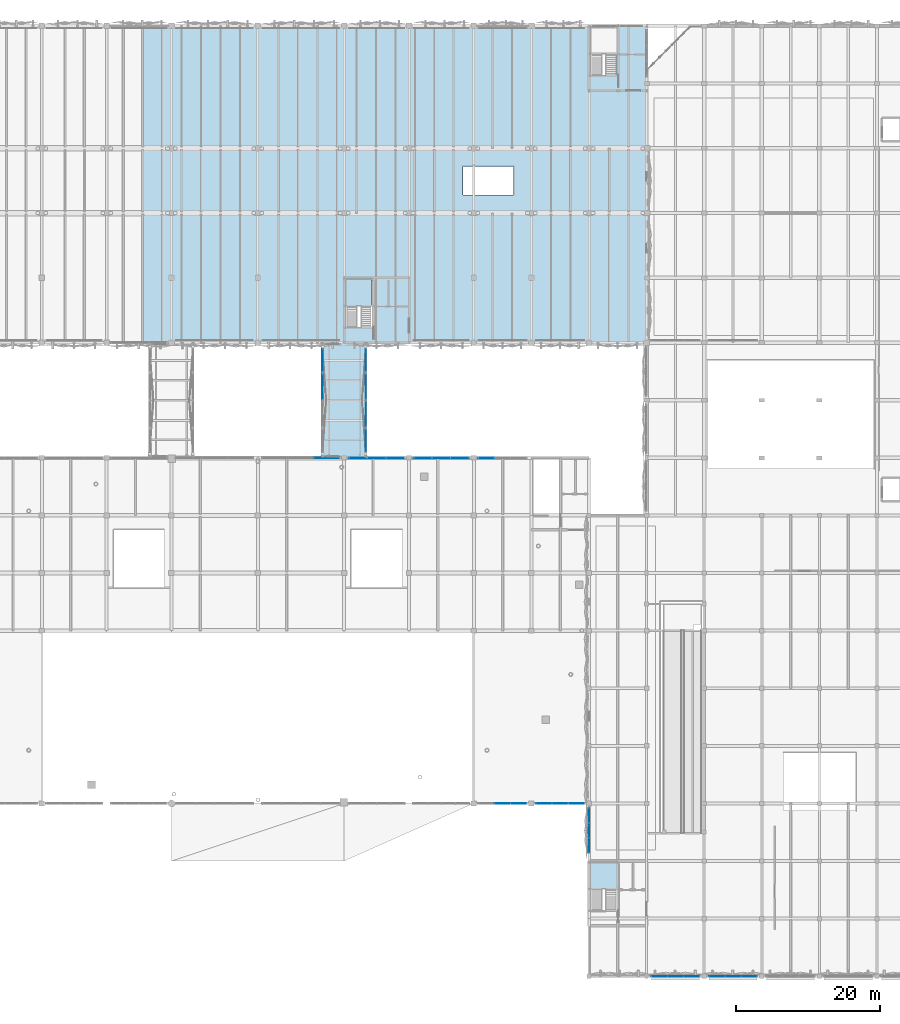
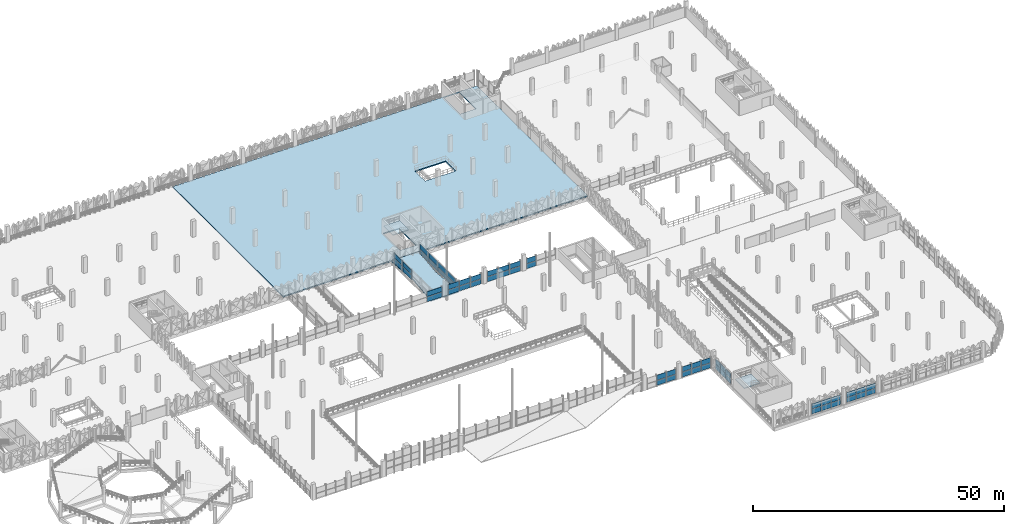
# One storey, part 63 of 123: 56 plates, 4 slabs, 13 elements without a shape of their own.
"""IFC4 building model written with IfcOpenShell, lengths in metres."""

import ifcopenshell
import ifcopenshell.guid

model = None  # the IFC model being written
_history = None  # IfcOwnerHistory: only IFC2X3 demands one
_inside = {}  # id of a spatial element -> (the spatial element, [elements in it])
_under = {}  # id of a project, library or spatial element -> (it, [spatial elements below it])
_declared = {}  # id of a project -> (the project, [libraries it declares])
_typed = {}  # id of a type object -> (the type object, [elements of that type])
_made_of = {}  # id of a material, layer set ... -> (it, [elements and type objects made of it])


def new_model(schema):
    """Start an empty IFC model of exactly this schema.

    Asked for "IFC4X3", IfcOpenShell would pick the latest addendum, in which some entities
    have other attributes; the version numbers below select the first issue.
    IFC2X3 requires an IfcOwnerHistory on every rooted entity: one is made here for all.
    """
    global model, _history
    if schema == "IFC4X3":
        model = ifcopenshell.file(schema_version=(4, 3, 0, 0))
    else:
        model = ifcopenshell.file(schema=schema)
    _inside.clear()
    _under.clear()
    _declared.clear()
    _typed.clear()
    _made_of.clear()
    _history = None
    if model.schema == "IFC2X3":
        org = make("IfcOrganization", Name="unknown")
        user = make(
            "IfcPersonAndOrganization",
            ThePerson=make("IfcPerson", FamilyName="unknown"),
            TheOrganization=org,
        )
        app = make(
            "IfcApplication",
            ApplicationDeveloper=org,
            Version="unknown",
            ApplicationFullName="unknown",
            ApplicationIdentifier="unknown",
        )
        _history = make(
            "IfcOwnerHistory",
            OwningUser=user,
            OwningApplication=app,
            ChangeAction="ADDED",
            CreationDate=0,
        )
    return model


def make(cls, **values):
    """One entity of the class cls with the attributes given. An attribute that is None is left unset."""
    return model.create_entity(
        cls, **{name: value for name, value in values.items() if value is not None}
    )


def rooted(cls, **values):
    """An entity with a GlobalId (a new one), such as an element, a storey or a relation."""
    return make(cls, GlobalId=ifcopenshell.guid.new(), OwnerHistory=_history, **values)


def si_unit(unit_type, name, prefix=None):
    """IfcSIUnit, for example si_unit("LENGTHUNIT", "METRE", prefix="MILLI")."""
    return make("IfcSIUnit", UnitType=unit_type, Prefix=prefix, Name=name)


def derived_unit(unit_type, elements):
    """IfcDerivedUnit: a product of units, each with its exponent."""
    return make(
        "IfcDerivedUnit",
        Elements=[
            make("IfcDerivedUnitElement", Unit=unit, Exponent=power)
            for unit, power in elements
        ],
        UnitType=unit_type,
    )


def assignment(units):
    """IfcUnitAssignment: the units of a project."""
    return None if units is None else make("IfcUnitAssignment", Units=units)


def point(xyz):
    """IfcCartesianPoint."""
    return None if xyz is None else make("IfcCartesianPoint", Coordinates=xyz)


def direction(xyz):
    """IfcDirection."""
    return None if xyz is None else make("IfcDirection", DirectionRatios=xyz)


def frame(location, z_axis=None, x_axis=None):
    """IfcAxis2Placement3D, a coordinate frame: its origin and axes. An axis left out is left unset."""
    return make(
        "IfcAxis2Placement3D",
        Location=point(location),
        Axis=direction(z_axis),
        RefDirection=direction(x_axis),
    )


def frame_2d(location, x_axis=None):
    """IfcAxis2Placement2D, a coordinate frame in the plane: its origin and x axis."""
    return make(
        "IfcAxis2Placement2D", Location=point(location), RefDirection=direction(x_axis)
    )


def origin():
    """The frame at (0, 0, 0) with its axes left unset."""
    return frame((0.0, 0.0, 0.0))


def origin_2d():
    """The frame at (0, 0) in the plane with its x axis left unset."""
    return frame_2d((0.0, 0.0))


def place(relative_to, where):
    """IfcLocalPlacement: puts the frame where relative to a parent placement (None: the world)."""
    return make(
        "IfcLocalPlacement", PlacementRelTo=relative_to, RelativePlacement=where
    )


def context(
    kind, dimensions, precision=None, world=None, true_north=None, identifier=None
):
    """IfcGeometricRepresentationContext, for example the 3D "Model" context."""
    return make(
        "IfcGeometricRepresentationContext",
        ContextIdentifier=identifier,
        ContextType=kind,
        CoordinateSpaceDimension=dimensions,
        Precision=precision,
        WorldCoordinateSystem=world,
        TrueNorth=true_north,
    )


def subcontext(parent, identifier, kind, view, scale=None):
    """IfcGeometricRepresentationSubContext, for example "Body" below "Model"."""
    return make(
        "IfcGeometricRepresentationSubContext",
        ContextIdentifier=identifier,
        ContextType=kind,
        ParentContext=parent,
        TargetScale=scale,
        TargetView=view,
    )


def project(units=None, contexts=None):
    """IfcProject with its units and contexts."""
    return rooted(
        "IfcProject",
        Name="project",
        RepresentationContexts=contexts,
        UnitsInContext=assignment(units),
    )


def spatial(cls, under=None, at=None, **own):
    """A site, building, storey or space (cls), placed at a placement, below another one or the project."""
    s = rooted(cls, ObjectPlacement=at, **own)
    if under is not None:
        _under.setdefault(under.id(), (under, []))[1].append(s)
    return s


def polyline(points):
    """IfcPolyline through the points."""
    return make("IfcPolyline", Points=[point(p) for p in points])


def profile(cls, at=None, kind="AREA", **sizes):
    """A parametric profile (cls). Its sizes go by their IFC names, for example OverallWidth=200.0."""
    return make(cls, ProfileType=kind, Position=at, **sizes)


def rectangle(**sizes):
    """IfcRectangleProfileDef."""
    return profile("IfcRectangleProfileDef", **sizes)


def outline(outer, holes=None, kind="AREA"):
    """IfcArbitraryClosedProfileDef: a profile drawn as a closed curve; with holes, ...WithVoids."""
    if holes is None:
        return make("IfcArbitraryClosedProfileDef", ProfileType=kind, OuterCurve=outer)
    return make(
        "IfcArbitraryProfileDefWithVoids",
        ProfileType=kind,
        OuterCurve=outer,
        InnerCurves=holes,
    )


def extrude(swept, where, along, depth):
    """IfcExtrudedAreaSolid: the profile swept, set in the frame where, extruded along a direction by depth."""
    return make(
        "IfcExtrudedAreaSolid",
        SweptArea=swept,
        Position=where,
        ExtrudedDirection=direction(along),
        Depth=depth,
    )


def shape(context_of_items, identifier, shape_type, items):
    """IfcShapeRepresentation: the items that make up one representation, for example the "Body"."""
    return make(
        "IfcShapeRepresentation",
        ContextOfItems=context_of_items,
        RepresentationIdentifier=identifier,
        RepresentationType=shape_type,
        Items=items,
    )


def material(Name=None, Category=None):
    """IfcMaterial."""
    return make("IfcMaterial", Name=Name, Category=Category)


def layer(
    of_material, thickness, ventilated=None, Name=None, Category=None, Priority=None
):
    """IfcMaterialLayer: one layer of a wall or slab, of a material (None: an air gap)."""
    return make(
        "IfcMaterialLayer",
        Material=of_material,
        LayerThickness=thickness,
        IsVentilated=ventilated,
        Name=Name,
        Category=Category,
        Priority=Priority,
    )


def layer_set(layers, Name=None):
    """IfcMaterialLayerSet."""
    return make("IfcMaterialLayerSet", MaterialLayers=layers, LayerSetName=Name)


def made_of(thing, what):
    """Note that an element or type object is made of a material, layer set ...; save() writes the relation."""
    if what is not None:
        _made_of.setdefault(what.id(), (what, []))[1].append(thing)
    return thing


def type_object(cls, material=None, **own):
    """A type object (cls), such as IfcWallType, which elements share."""
    return made_of(rooted(cls, **own), material)


def element(
    cls,
    number,
    at=None,
    inside=None,
    cuts=None,
    type_object=None,
    material=None,
    context=None,
    identifier="Body",
    shape_type=None,
    held_by="IfcProductDefinitionShape",
    body=None,
    shapes=None,
    **own,
):
    """One element of the class cls, such as IfcWall. Its Tag is "e" and its number.

    at: its placement. inside: the storey or other place that contains it. cuts: it is an
    opening in that element (IfcRelVoidsElement). A single representation is given by context,
    identifier, shape_type and body (its items); several are given by shapes. held_by: the class
    of the entity that holds the representations. save() writes the other relations.
    """
    e = rooted(cls, Tag="e%d" % number, ObjectPlacement=at, **own)
    if body is not None:
        shapes = [shape(context, identifier, shape_type, body)]
    if shapes is not None:
        e.Representation = make(held_by, Representations=shapes)
    if inside is not None:
        _inside.setdefault(inside.id(), (inside, []))[1].append(e)
    if cuts is not None:
        rooted(
            "IfcRelVoidsElement", RelatingBuildingElement=cuts, RelatedOpeningElement=e
        )
    if type_object is not None:
        _typed.setdefault(type_object.id(), (type_object, []))[1].append(e)
    return made_of(e, material)


def aggregate(whole, parts):
    """IfcRelAggregates: a whole, such as a stair, and the parts it consists of."""
    return rooted("IfcRelAggregates", RelatingObject=whole, RelatedObjects=parts)


def save(model, path):
    """Write the relations noted so far, then the file.

    IfcRelAggregates (storeys below a building ...), IfcRelContainedInSpatialStructure (elements
    in a storey), IfcRelDefinesByType, IfcRelAssociatesMaterial and IfcRelDeclares: one each for
    every whole, place, type object, material and project.
    """
    for whole, parts in _under.values():
        aggregate(whole, parts)
    for where, things in _inside.values():
        rooted(
            "IfcRelContainedInSpatialStructure",
            RelatedElements=things,
            RelatingStructure=where,
        )
    for kind, things in _typed.values():
        rooted("IfcRelDefinesByType", RelatedObjects=things, RelatingType=kind)
    for what, things in _made_of.values():
        rooted("IfcRelAssociatesMaterial", RelatedObjects=things, RelatingMaterial=what)
    for by, libraries in _declared.values():
        rooted("IfcRelDeclares", RelatingContext=by, RelatedDefinitions=libraries)
    model.write(path)


model = new_model("IFC4")

# Units and contexts
model_context = context("Model", 3, precision=1e-05, world=origin(), true_north=direction((0.0, 1.0)))
body_context = subcontext(model_context, "Body", "Model", "MODEL_VIEW")
ifc_project = project(units=[si_unit("LENGTHUNIT", "METRE"), si_unit("AREAUNIT", "SQUARE_METRE"), si_unit("VOLUMEUNIT", "CUBIC_METRE"), si_unit("PLANEANGLEUNIT", "RADIAN"), si_unit("MASSUNIT", "GRAM", prefix="KILO"), si_unit("THERMODYNAMICTEMPERATUREUNIT", "KELVIN"), derived_unit("THERMALTRANSMITTANCEUNIT", [(si_unit("POWERUNIT", "WATT"), 1), (si_unit("AREAUNIT", "SQUARE_METRE"), -1), (si_unit("THERMODYNAMICTEMPERATUREUNIT", "KELVIN"), -1)])], contexts=[model_context])

# Site, building, storey
site_placement = place(None, origin())
site = spatial("IfcSite", under=ifc_project, at=site_placement, CompositionType="ELEMENT")
building_placement = place(site_placement, origin())
building = spatial("IfcBuilding", under=site, at=building_placement, Name="Haiyu Intermodal Mobility Hub", CompositionType="ELEMENT")
storey_placement = place(building_placement, frame((0.0, 0.0, 5.60009765625)))
storey = spatial("IfcBuildingStorey", under=building, at=storey_placement, Name="L01", CompositionType="ELEMENT", Elevation=5.60009765625)

# Curtain wall, plates
ifc_material_1 = material(Name="Low-e laminated insulating glass", Category="glass")
ifc_layer_1 = layer(ifc_material_1, 0.219970703125)
ifc_layer_set_1 = layer_set([ifc_layer_1], Name="Low-e laminated insulating glass")
curtain_wall_type_1 = type_object("IfcCurtainWallType", Name="CW-CW01", PredefinedType="NOTDEFINED", material=ifc_layer_set_1)
curtain_wall_1_placement = place(storey_placement, origin())
curtain_wall_1 = element("IfcCurtainWall", 1, at=curtain_wall_1_placement, inside=storey, type_object=curtain_wall_type_1, Name="Curtain Wall CW-V1S-L01-018", PredefinedType="NOTDEFINED")
ifc_layer_2 = layer(ifc_material_1, 0.035888671875)
ifc_layer_set_2 = layer_set([ifc_layer_2], Name="Low-e laminated insulating glass")
plate_type_1 = type_object("IfcPlateType", Name="PLT-CP01", PredefinedType="CURTAIN_PANEL", material=ifc_layer_set_2)
plate_1_placement = place(storey_placement, frame((142.0, 40.0, 0.035400390625), z_axis=(0.0, 0.0, 1.0), x_axis=(1.0, 0.0, 0.0)))
plate_1 = element("IfcPlate", 2, at=plate_1_placement, type_object=plate_type_1, Name="CW-V1S-L01-018-PN03", PredefinedType="CURTAIN_PANEL", context=body_context, shape_type="SweptSolid", body=[
    extrude(rectangle(XDim=2.136962890625, YDim=0.035888671875, at=origin_2d()), origin(), (0.0, 0.0, 1.0), 1.205078125),
])
plate_2_placement = place(storey_placement, frame((144.22705078125, 40.0, 0.035400390625), z_axis=(0.0, 0.0, 1.0), x_axis=(1.0, 0.0, 0.0)))
plate_2 = element("IfcPlate", 3, at=plate_2_placement, type_object=plate_type_1, Name="CW-V1S-L01-018-PN05", PredefinedType="CURTAIN_PANEL", context=body_context, shape_type="SweptSolid", body=[
    extrude(rectangle(XDim=2.136962890625, YDim=0.035888671875, at=origin_2d()), origin(), (0.0, 0.0, 1.0), 1.205078125),
])

curtain_wall_2_placement = place(storey_placement, origin())
curtain_wall_2 = element("IfcCurtainWall", 4, at=curtain_wall_2_placement, inside=storey, type_object=curtain_wall_type_1, Name="Curtain Wall CW-V1S-L01-020", PredefinedType="NOTDEFINED")
plate_3_placement = place(storey_placement, frame((147.77294921875, 40.0, 0.035400390625), z_axis=(0.0, 0.0, 1.0), x_axis=(1.0, 0.0, 0.0)))
plate_3 = element("IfcPlate", 5, at=plate_3_placement, type_object=plate_type_1, Name="CW-V1S-L01-020-PN01", PredefinedType="CURTAIN_PANEL", context=body_context, shape_type="SweptSolid", body=[
    extrude(rectangle(XDim=2.136962890625, YDim=0.035888671875, at=origin_2d()), origin(), (0.0, 0.0, 1.0), 1.205078125),
])
plate_4_placement = place(storey_placement, frame((150.0, 40.0, 0.035400390625), z_axis=(0.0, 0.0, 1.0), x_axis=(1.0, 0.0, 0.0)))
plate_4 = element("IfcPlate", 6, at=plate_4_placement, type_object=plate_type_1, Name="CW-V1S-L01-020-PN03", PredefinedType="CURTAIN_PANEL", context=body_context, shape_type="SweptSolid", body=[
    extrude(rectangle(XDim=2.136962890625, YDim=0.035888671875, at=origin_2d()), origin(), (0.0, 0.0, 1.0), 1.205078125),
])
plate_5_placement = place(storey_placement, frame((152.22705078125, 40.0, 0.035400390625), z_axis=(0.0, 0.0, 1.0), x_axis=(1.0, 0.0, 0.0)))
plate_5 = element("IfcPlate", 7, at=plate_5_placement, type_object=plate_type_1, Name="CW-V1S-L01-020-PN05", PredefinedType="CURTAIN_PANEL", context=body_context, shape_type="SweptSolid", body=[
    extrude(rectangle(XDim=2.136962890625, YDim=0.035888671875, at=origin_2d()), origin(), (0.0, 0.0, 1.0), 1.205078125),
])

ifc_layer_3 = layer(ifc_material_1, 0.25)
ifc_layer_set_3 = layer_set([ifc_layer_3], Name="Low-e laminated insulating glass")
curtain_wall_type_2 = type_object("IfcCurtainWallType", Name="CW-CW02", PredefinedType="NOTDEFINED", material=ifc_layer_set_3)
curtain_wall_3_placement = place(storey_placement, origin())
curtain_wall_3 = element("IfcCurtainWall", 8, at=curtain_wall_3_placement, inside=storey, type_object=curtain_wall_type_2, Name="Curtain Wall CW-V1N-L01-029", PredefinedType="NOTDEFINED")
plate_6_placement = place(storey_placement, frame((127.06005859375, 88.0, 0.035400390625), z_axis=(0.0, 0.0, 1.0), x_axis=(-1.0, 0.0, 0.0)))
plate_6 = element("IfcPlate", 9, at=plate_6_placement, type_object=plate_type_1, Name="CW-V1N-L01-029-PN01", PredefinedType="CURTAIN_PANEL", context=body_context, shape_type="SweptSolid", body=[
    extrude(rectangle(XDim=2.469970703125, YDim=0.035888671875, at=origin_2d()), origin(), (0.0, 0.0, 1.0), 1.205078125),
])
plate_7_placement = place(storey_placement, frame((124.5, 88.0, 0.035400390625), z_axis=(0.0, 0.0, 1.0), x_axis=(-1.0, 0.0, 0.0)))
plate_7 = element("IfcPlate", 10, at=plate_7_placement, type_object=plate_type_1, Name="CW-V1N-L01-029-PN03", PredefinedType="CURTAIN_PANEL", context=body_context, shape_type="SweptSolid", body=[
    extrude(rectangle(XDim=2.469970703125, YDim=0.035888671875, at=origin_2d()), origin(), (0.0, 0.0, 1.0), 1.205078125),
])
plate_8_placement = place(storey_placement, frame((121.93994140625, 88.0, 0.035400390625), z_axis=(0.0, 0.0, 1.0), x_axis=(-1.0, 0.0, 0.0)))
plate_8 = element("IfcPlate", 11, at=plate_8_placement, type_object=plate_type_1, Name="CW-V1N-L01-029-PN05", PredefinedType="CURTAIN_PANEL", context=body_context, shape_type="SweptSolid", body=[
    extrude(rectangle(XDim=2.469970703125, YDim=0.035888671875, at=origin_2d()), origin(), (0.0, 0.0, 1.0), 1.205078125),
])

curtain_wall_4_placement = place(storey_placement, origin())
curtain_wall_4 = element("IfcCurtainWall", 12, at=curtain_wall_4_placement, inside=storey, type_object=curtain_wall_type_2, Name="Curtain Wall CW-V1N-L01-030", PredefinedType="NOTDEFINED")
plate_9_placement = place(storey_placement, frame((136.06005859375, 88.0, 0.035400390625), z_axis=(0.0, 0.0, 1.0), x_axis=(-1.0, 0.0, 0.0)))
plate_9 = element("IfcPlate", 13, at=plate_9_placement, type_object=plate_type_1, Name="CW-V1N-L01-030-PN01", PredefinedType="CURTAIN_PANEL", context=body_context, shape_type="SweptSolid", body=[
    extrude(rectangle(XDim=2.469970703125, YDim=0.035888671875, at=origin_2d()), origin(), (0.0, 0.0, 1.0), 1.205078125),
])
plate_10_placement = place(storey_placement, frame((133.5, 88.0, 0.035400390625), z_axis=(0.0, 0.0, 1.0), x_axis=(-1.0, 0.0, 0.0)))
plate_10 = element("IfcPlate", 14, at=plate_10_placement, type_object=plate_type_1, Name="CW-V1N-L01-030-PN03", PredefinedType="CURTAIN_PANEL", context=body_context, shape_type="SweptSolid", body=[
    extrude(rectangle(XDim=2.469970703125, YDim=0.035888671875, at=origin_2d()), origin(), (0.0, 0.0, 1.0), 1.205078125),
])
plate_11_placement = place(storey_placement, frame((130.93994140625, 88.0, 0.035400390625), z_axis=(0.0, 0.0, 1.0), x_axis=(-1.0, 0.0, 0.0)))
plate_11 = element("IfcPlate", 15, at=plate_11_placement, type_object=plate_type_1, Name="CW-V1N-L01-030-PN05", PredefinedType="CURTAIN_PANEL", context=body_context, shape_type="SweptSolid", body=[
    extrude(rectangle(XDim=2.469970703125, YDim=0.035888671875, at=origin_2d()), origin(), (0.0, 0.0, 1.0), 1.205078125),
])

# Curtain wall, plate
curtain_wall_5_placement = place(storey_placement, origin())
curtain_wall_5 = element("IfcCurtainWall", 16, at=curtain_wall_5_placement, inside=storey, type_object=curtain_wall_type_2, Name="Curtain Wall CW-V1N-L01-028", PredefinedType="NOTDEFINED")
ifc_material_2 = material(Name="Anodised aluminium 6063-T6", Category="aluminium")
ifc_layer_4 = layer(ifc_material_2, 0.0419921875)
ifc_layer_set_4 = layer_set([ifc_layer_4], Name="Anodised aluminium 6063-T6")
plate_type_2 = type_object("IfcPlateType", Name="PLT-CP02", PredefinedType="CURTAIN_PANEL", material=ifc_layer_set_4)
plate_12_placement = place(storey_placement, frame((117.56005859375, 88.0, 0.035400390625), z_axis=(0.0, 0.0, 1.0), x_axis=(-1.0, 0.0, 0.0)))
plate_12 = element("IfcPlate", 17, at=plate_12_placement, type_object=plate_type_2, Name="CW-V1N-L01-028-PN01", PredefinedType="CURTAIN_PANEL", context=body_context, shape_type="SweptSolid", body=[
    extrude(rectangle(XDim=3.469970703125, YDim=0.0419921875, at=origin_2d()), origin(), (0.0, 0.0, 1.0), 1.205078125),
])

curtain_wall_6_placement = place(storey_placement, origin())
curtain_wall_6 = element("IfcCurtainWall", 18, at=curtain_wall_6_placement, inside=storey, type_object=curtain_wall_type_2, Name="Curtain Wall CW-V1N-L01-032", PredefinedType="NOTDEFINED")
plate_13_placement = place(storey_placement, frame((139.77294921875, 88.0, 0.035400390625), z_axis=(0.0, 0.0, 1.0), x_axis=(-1.0, 0.0, 0.0)))
plate_13 = element("IfcPlate", 19, at=plate_13_placement, type_object=plate_type_2, Name="CW-V1N-L01-032-PN05", PredefinedType="CURTAIN_PANEL", context=body_context, shape_type="SweptSolid", body=[
    extrude(rectangle(XDim=2.136962890625, YDim=0.0419921875, at=origin_2d()), origin(), (0.0, 0.0, 1.0), 1.205078125),
])

# Curtain wall, plates
ifc_layer_5 = layer(ifc_material_1, 0.2099609375)
ifc_layer_set_5 = layer_set([ifc_layer_5], Name="Low-e laminated insulating glass")
curtain_wall_type_3 = type_object("IfcCurtainWallType", Name="CW-CW04", PredefinedType="NOTDEFINED", material=ifc_layer_set_5)
curtain_wall_7_placement = place(storey_placement, origin())
curtain_wall_7 = element("IfcCurtainWall", 20, at=curtain_wall_7_placement, inside=storey, type_object=curtain_wall_type_3, Name="Curtain Wall CW-BRG-BEW-L01-082", PredefinedType="NOTDEFINED")
plate_14_placement = place(storey_placement, frame((117.0, 97.7900390625, 0.034912109375), z_axis=(0.0, 0.0, 1.0), x_axis=(0.0, 1.0, 0.0)))
plate_14 = element("IfcPlate", 21, at=plate_14_placement, type_object=plate_type_2, Name="CW-BRG-BEW-L01-082-PN05", PredefinedType="CURTAIN_PANEL", context=body_context, shape_type="SweptSolid", body=[
    extrude(rectangle(XDim=3.489990234375, YDim=0.0419921875, at=origin_2d()), origin(), (0.0, 0.0, 1.0), 1.169921875),
])
plate_15_placement = place(storey_placement, frame((117.0, 101.3701171875, 0.034912109375), z_axis=(0.0, 0.0, 1.0), x_axis=(0.0, 1.0, 0.0)))
plate_15 = element("IfcPlate", 22, at=plate_15_placement, type_object=plate_type_2, Name="CW-BRG-BEW-L01-082-PN07", PredefinedType="CURTAIN_PANEL", context=body_context, shape_type="SweptSolid", body=[
    extrude(rectangle(XDim=3.489990234375, YDim=0.0419921875, at=origin_2d()), origin(), (0.0, 0.0, 1.0), 1.169921875),
])

curtain_wall_8_placement = place(storey_placement, origin())
curtain_wall_8 = element("IfcCurtainWall", 23, at=curtain_wall_8_placement, inside=storey, type_object=curtain_wall_type_3, Name="Curtain Wall CW-BRG-BEE-L01-083", PredefinedType="NOTDEFINED")
plate_16_placement = place(storey_placement, frame((123.0, 90.6298828125, 0.034912109375), z_axis=(0.0, 0.0, 1.0), x_axis=(0.0, 1.0, 0.0)))
plate_16 = element("IfcPlate", 24, at=plate_16_placement, type_object=plate_type_2, Name="CW-BRG-BEE-L01-083-PN01", PredefinedType="CURTAIN_PANEL", context=body_context, shape_type="SweptSolid", body=[
    extrude(rectangle(XDim=3.489990234375, YDim=0.0419921875, at=origin_2d()), origin(), (0.0, 0.0, 1.0), 1.169921875),
])
plate_17_placement = place(storey_placement, frame((123.0, 94.2099609375, 0.034912109375), z_axis=(0.0, 0.0, 1.0), x_axis=(0.0, 1.0, 0.0)))
plate_17 = element("IfcPlate", 25, at=plate_17_placement, type_object=plate_type_2, Name="CW-BRG-BEE-L01-083-PN03", PredefinedType="CURTAIN_PANEL", context=body_context, shape_type="SweptSolid", body=[
    extrude(rectangle(XDim=3.489990234375, YDim=0.0419921875, at=origin_2d()), origin(), (0.0, 0.0, 1.0), 1.169921875),
])
plate_18_placement = place(storey_placement, frame((123.0, 97.7900390625, 0.034912109375), z_axis=(0.0, 0.0, 1.0), x_axis=(0.0, 1.0, 0.0)))
plate_18 = element("IfcPlate", 26, at=plate_18_placement, type_object=plate_type_2, Name="CW-BRG-BEE-L01-083-PN05", PredefinedType="CURTAIN_PANEL", context=body_context, shape_type="SweptSolid", body=[
    extrude(rectangle(XDim=3.489990234375, YDim=0.0419921875, at=origin_2d()), origin(), (0.0, 0.0, 1.0), 1.169921875),
])
plate_19_placement = place(storey_placement, frame((123.0, 101.3701171875, 0.034912109375), z_axis=(0.0, 0.0, 1.0), x_axis=(0.0, 1.0, 0.0)))
plate_19 = element("IfcPlate", 27, at=plate_19_placement, type_object=plate_type_2, Name="CW-BRG-BEE-L01-083-PN07", PredefinedType="CURTAIN_PANEL", context=body_context, shape_type="SweptSolid", body=[
    extrude(rectangle(XDim=3.489990234375, YDim=0.0419921875, at=origin_2d()), origin(), (0.0, 0.0, 1.0), 1.169921875),
])

curtain_wall_9_placement = place(storey_placement, origin())
curtain_wall_9 = element("IfcCurtainWall", 28, at=curtain_wall_9_placement, inside=storey, type_object=curtain_wall_type_3, Name="Curtain Wall CW-V5S-L01-094", PredefinedType="NOTDEFINED")
plate_20_placement = place(storey_placement, frame((163.77294921875, 16.0, 0.034912109375), z_axis=(0.0, 0.0, 1.0), x_axis=(1.0, 0.0, 0.0)))
plate_20 = element("IfcPlate", 29, at=plate_20_placement, type_object=plate_type_2, Name="CW-V5S-L01-094-PN01", PredefinedType="CURTAIN_PANEL", context=body_context, shape_type="SweptSolid", body=[
    extrude(rectangle(XDim=2.136962890625, YDim=0.0419921875, at=origin_2d()), origin(), (0.0, 0.0, 1.0), 1.169921875),
])
plate_21_placement = place(storey_placement, frame((166.0, 16.0, 0.034912109375), z_axis=(0.0, 0.0, 1.0), x_axis=(1.0, 0.0, 0.0)))
plate_21 = element("IfcPlate", 30, at=plate_21_placement, type_object=plate_type_2, Name="CW-V5S-L01-094-PN03", PredefinedType="CURTAIN_PANEL", context=body_context, shape_type="SweptSolid", body=[
    extrude(rectangle(XDim=2.136962890625, YDim=0.0419921875, at=origin_2d()), origin(), (0.0, 0.0, 1.0), 1.169921875),
])
plate_22_placement = place(storey_placement, frame((168.22705078125, 16.0, 0.034912109375), z_axis=(0.0, 0.0, 1.0), x_axis=(1.0, 0.0, 0.0)))
plate_22 = element("IfcPlate", 31, at=plate_22_placement, type_object=plate_type_2, Name="CW-V5S-L01-094-PN05", PredefinedType="CURTAIN_PANEL", context=body_context, shape_type="SweptSolid", body=[
    extrude(rectangle(XDim=2.136962890625, YDim=0.0419921875, at=origin_2d()), origin(), (0.0, 0.0, 1.0), 1.169921875),
])

curtain_wall_10_placement = place(storey_placement, origin())
curtain_wall_10 = element("IfcCurtainWall", 32, at=curtain_wall_10_placement, inside=storey, type_object=curtain_wall_type_3, Name="Curtain Wall CW-V5S-L01-095", PredefinedType="NOTDEFINED")
plate_23_placement = place(storey_placement, frame((171.77294921875, 16.0, 0.034912109375), z_axis=(0.0, 0.0, 1.0), x_axis=(1.0, 0.0, 0.0)))
plate_23 = element("IfcPlate", 33, at=plate_23_placement, type_object=plate_type_2, Name="CW-V5S-L01-095-PN01", PredefinedType="CURTAIN_PANEL", context=body_context, shape_type="SweptSolid", body=[
    extrude(rectangle(XDim=2.136962890625, YDim=0.0419921875, at=origin_2d()), origin(), (0.0, 0.0, 1.0), 1.169921875),
])
plate_24_placement = place(storey_placement, frame((174.0, 16.0, 0.034912109375), z_axis=(0.0, 0.0, 1.0), x_axis=(1.0, 0.0, 0.0)))
plate_24 = element("IfcPlate", 34, at=plate_24_placement, type_object=plate_type_2, Name="CW-V5S-L01-095-PN03", PredefinedType="CURTAIN_PANEL", context=body_context, shape_type="SweptSolid", body=[
    extrude(rectangle(XDim=2.136962890625, YDim=0.0419921875, at=origin_2d()), origin(), (0.0, 0.0, 1.0), 1.169921875),
])
plate_25_placement = place(storey_placement, frame((176.22705078125, 16.0, 0.034912109375), z_axis=(0.0, 0.0, 1.0), x_axis=(1.0, 0.0, 0.0)))
plate_25 = element("IfcPlate", 35, at=plate_25_placement, type_object=plate_type_2, Name="CW-V5S-L01-095-PN05", PredefinedType="CURTAIN_PANEL", context=body_context, shape_type="SweptSolid", body=[
    extrude(rectangle(XDim=2.136962890625, YDim=0.0419921875, at=origin_2d()), origin(), (0.0, 0.0, 1.0), 1.169921875),
])

curtain_wall_11_placement = place(storey_placement, origin())
curtain_wall_11 = element("IfcCurtainWall", 36, at=curtain_wall_11_placement, inside=storey, type_object=curtain_wall_type_3, Name="Curtain Wall CW-V5W-L01-105", PredefinedType="NOTDEFINED")
plate_26_placement = place(storey_placement, frame((154.0, 38.31005859375, 0.034912109375), z_axis=(0.0, 0.0, 1.0), x_axis=(0.0, -1.0, 0.0)))
plate_26 = element("IfcPlate", 37, at=plate_26_placement, type_object=plate_type_2, Name="CW-V5W-L01-105-PN01", PredefinedType="CURTAIN_PANEL", context=body_context, shape_type="SweptSolid", body=[
    extrude(rectangle(XDim=1.969970703125, YDim=0.0419921875, at=origin_2d()), origin(), (0.0, 0.0, 1.0), 1.169921875),
])
plate_27_placement = place(storey_placement, frame((154.0, 36.25, 0.034912109375), z_axis=(0.0, 0.0, 1.0), x_axis=(0.0, -1.0, 0.0)))
plate_27 = element("IfcPlate", 38, at=plate_27_placement, type_object=plate_type_2, Name="CW-V5W-L01-105-PN03", PredefinedType="CURTAIN_PANEL", context=body_context, shape_type="SweptSolid", body=[
    extrude(rectangle(XDim=1.969970703125, YDim=0.0419921875, at=origin_2d()), origin(), (0.0, 0.0, 1.0), 1.169921875),
])
plate_28_placement = place(storey_placement, frame((154.0, 34.18994140625, 0.034912109375), z_axis=(0.0, 0.0, 1.0), x_axis=(0.0, -1.0, 0.0)))
plate_28 = element("IfcPlate", 39, at=plate_28_placement, type_object=plate_type_2, Name="CW-V5W-L01-105-PN05", PredefinedType="CURTAIN_PANEL", context=body_context, shape_type="SweptSolid", body=[
    extrude(rectangle(XDim=1.969970703125, YDim=0.0419921875, at=origin_2d()), origin(), (0.0, 0.0, 1.0), 1.169921875),
])

# Plate
ifc_layer_6 = layer(ifc_material_1, 0.0439453125)
ifc_layer_set_6 = layer_set([ifc_layer_6], Name="Low-e laminated insulating glass")
plate_type_3 = type_object("IfcPlateType", Name="PLT-CP04", PredefinedType="CURTAIN_PANEL", material=ifc_layer_set_6)
plate_29_placement = place(storey_placement, frame((142.0, 40.0, 1.309326171875), z_axis=(0.0, 0.0, 1.0), x_axis=(1.0, 0.0, 0.0)))
plate_29 = element("IfcPlate", 40, at=plate_29_placement, type_object=plate_type_3, Name="CW-V1S-L01-018-PN04", PredefinedType="CURTAIN_PANEL", context=body_context, shape_type="SweptSolid", body=[
    extrude(rectangle(XDim=2.136962890625, YDim=0.0439453125, at=origin_2d()), origin(), (0.0, 0.0, 1.0), 1.205078125),
])

plate_30_placement = place(storey_placement, frame((144.22705078125, 40.0, 1.309326171875), z_axis=(0.0, 0.0, 1.0), x_axis=(1.0, 0.0, 0.0)))
plate_30 = element("IfcPlate", 41, at=plate_30_placement, type_object=plate_type_3, Name="CW-V1S-L01-018-PN06", PredefinedType="CURTAIN_PANEL", context=body_context, shape_type="SweptSolid", body=[
    extrude(rectangle(XDim=2.136962890625, YDim=0.0439453125, at=origin_2d()), origin(), (0.0, 0.0, 1.0), 1.205078125),
])

aggregate(curtain_wall_1, [plate_1, plate_29, plate_2, plate_30])

plate_31_placement = place(storey_placement, frame((147.77294921875, 40.0, 1.309326171875), z_axis=(0.0, 0.0, 1.0), x_axis=(1.0, 0.0, 0.0)))
plate_31 = element("IfcPlate", 42, at=plate_31_placement, type_object=plate_type_3, Name="CW-V1S-L01-020-PN02", PredefinedType="CURTAIN_PANEL", context=body_context, shape_type="SweptSolid", body=[
    extrude(rectangle(XDim=2.136962890625, YDim=0.0439453125, at=origin_2d()), origin(), (0.0, 0.0, 1.0), 1.205078125),
])

plate_32_placement = place(storey_placement, frame((150.0, 40.0, 1.309326171875), z_axis=(0.0, 0.0, 1.0), x_axis=(1.0, 0.0, 0.0)))
plate_32 = element("IfcPlate", 43, at=plate_32_placement, type_object=plate_type_3, Name="CW-V1S-L01-020-PN04", PredefinedType="CURTAIN_PANEL", context=body_context, shape_type="SweptSolid", body=[
    extrude(rectangle(XDim=2.136962890625, YDim=0.0439453125, at=origin_2d()), origin(), (0.0, 0.0, 1.0), 1.205078125),
])

plate_33_placement = place(storey_placement, frame((152.22705078125, 40.0, 1.309326171875), z_axis=(0.0, 0.0, 1.0), x_axis=(1.0, 0.0, 0.0)))
plate_33 = element("IfcPlate", 44, at=plate_33_placement, type_object=plate_type_3, Name="CW-V1S-L01-020-PN06", PredefinedType="CURTAIN_PANEL", context=body_context, shape_type="SweptSolid", body=[
    extrude(rectangle(XDim=2.136962890625, YDim=0.0439453125, at=origin_2d()), origin(), (0.0, 0.0, 1.0), 1.205078125),
])

aggregate(curtain_wall_2, [plate_3, plate_31, plate_4, plate_32, plate_5, plate_33])

plate_34_placement = place(storey_placement, frame((117.56005859375, 88.0, 1.309326171875), z_axis=(0.0, 0.0, 1.0), x_axis=(-1.0, 0.0, 0.0)))
plate_34 = element("IfcPlate", 45, at=plate_34_placement, type_object=plate_type_3, Name="CW-V1N-L01-028-PN02", PredefinedType="CURTAIN_PANEL", context=body_context, shape_type="SweptSolid", body=[
    extrude(rectangle(XDim=3.469970703125, YDim=0.0439453125, at=origin_2d()), origin(), (0.0, 0.0, 1.0), 1.205078125),
])

aggregate(curtain_wall_5, [plate_12, plate_34])

plate_35_placement = place(storey_placement, frame((127.06005859375, 88.0, 1.309326171875), z_axis=(0.0, 0.0, 1.0), x_axis=(-1.0, 0.0, 0.0)))
plate_35 = element("IfcPlate", 46, at=plate_35_placement, type_object=plate_type_3, Name="CW-V1N-L01-029-PN02", PredefinedType="CURTAIN_PANEL", context=body_context, shape_type="SweptSolid", body=[
    extrude(rectangle(XDim=2.469970703125, YDim=0.0439453125, at=origin_2d()), origin(), (0.0, 0.0, 1.0), 1.205078125),
])

plate_36_placement = place(storey_placement, frame((124.5, 88.0, 1.309326171875), z_axis=(0.0, 0.0, 1.0), x_axis=(-1.0, 0.0, 0.0)))
plate_36 = element("IfcPlate", 47, at=plate_36_placement, type_object=plate_type_3, Name="CW-V1N-L01-029-PN04", PredefinedType="CURTAIN_PANEL", context=body_context, shape_type="SweptSolid", body=[
    extrude(rectangle(XDim=2.469970703125, YDim=0.0439453125, at=origin_2d()), origin(), (0.0, 0.0, 1.0), 1.205078125),
])

plate_37_placement = place(storey_placement, frame((121.93994140625, 88.0, 1.309326171875), z_axis=(0.0, 0.0, 1.0), x_axis=(-1.0, 0.0, 0.0)))
plate_37 = element("IfcPlate", 48, at=plate_37_placement, type_object=plate_type_3, Name="CW-V1N-L01-029-PN06", PredefinedType="CURTAIN_PANEL", context=body_context, shape_type="SweptSolid", body=[
    extrude(rectangle(XDim=2.469970703125, YDim=0.0439453125, at=origin_2d()), origin(), (0.0, 0.0, 1.0), 1.205078125),
])

aggregate(curtain_wall_3, [plate_6, plate_35, plate_7, plate_36, plate_8, plate_37])

plate_38_placement = place(storey_placement, frame((136.06005859375, 88.0, 1.309326171875), z_axis=(0.0, 0.0, 1.0), x_axis=(-1.0, 0.0, 0.0)))
plate_38 = element("IfcPlate", 49, at=plate_38_placement, type_object=plate_type_3, Name="CW-V1N-L01-030-PN02", PredefinedType="CURTAIN_PANEL", context=body_context, shape_type="SweptSolid", body=[
    extrude(rectangle(XDim=2.469970703125, YDim=0.0439453125, at=origin_2d()), origin(), (0.0, 0.0, 1.0), 1.205078125),
])

plate_39_placement = place(storey_placement, frame((133.5, 88.0, 1.309326171875), z_axis=(0.0, 0.0, 1.0), x_axis=(-1.0, 0.0, 0.0)))
plate_39 = element("IfcPlate", 50, at=plate_39_placement, type_object=plate_type_3, Name="CW-V1N-L01-030-PN04", PredefinedType="CURTAIN_PANEL", context=body_context, shape_type="SweptSolid", body=[
    extrude(rectangle(XDim=2.469970703125, YDim=0.0439453125, at=origin_2d()), origin(), (0.0, 0.0, 1.0), 1.205078125),
])

plate_40_placement = place(storey_placement, frame((130.93994140625, 88.0, 1.309326171875), z_axis=(0.0, 0.0, 1.0), x_axis=(-1.0, 0.0, 0.0)))
plate_40 = element("IfcPlate", 51, at=plate_40_placement, type_object=plate_type_3, Name="CW-V1N-L01-030-PN06", PredefinedType="CURTAIN_PANEL", context=body_context, shape_type="SweptSolid", body=[
    extrude(rectangle(XDim=2.469970703125, YDim=0.0439453125, at=origin_2d()), origin(), (0.0, 0.0, 1.0), 1.205078125),
])

aggregate(curtain_wall_4, [plate_9, plate_38, plate_10, plate_39, plate_11, plate_40])

plate_41_placement = place(storey_placement, frame((139.77294921875, 88.0, 1.309326171875), z_axis=(0.0, 0.0, 1.0), x_axis=(-1.0, 0.0, 0.0)))
plate_41 = element("IfcPlate", 52, at=plate_41_placement, type_object=plate_type_3, Name="CW-V1N-L01-032-PN06", PredefinedType="CURTAIN_PANEL", context=body_context, shape_type="SweptSolid", body=[
    extrude(rectangle(XDim=2.136962890625, YDim=0.0439453125, at=origin_2d()), origin(), (0.0, 0.0, 1.0), 1.205078125),
])

aggregate(curtain_wall_6, [plate_13, plate_41])

plate_42_placement = place(storey_placement, frame((117.0, 97.7900390625, 1.27490234375), z_axis=(0.0, 0.0, 1.0), x_axis=(0.0, 1.0, 0.0)))
plate_42 = element("IfcPlate", 53, at=plate_42_placement, type_object=plate_type_3, Name="CW-BRG-BEW-L01-082-PN06", PredefinedType="CURTAIN_PANEL", context=body_context, shape_type="SweptSolid", body=[
    extrude(rectangle(XDim=3.489990234375, YDim=0.0439453125, at=origin_2d()), origin(), (0.0, 0.0, 1.0), 1.169921875),
])

plate_43_placement = place(storey_placement, frame((117.0, 101.3701171875, 1.27490234375), z_axis=(0.0, 0.0, 1.0), x_axis=(0.0, 1.0, 0.0)))
plate_43 = element("IfcPlate", 54, at=plate_43_placement, type_object=plate_type_3, Name="CW-BRG-BEW-L01-082-PN08", PredefinedType="CURTAIN_PANEL", context=body_context, shape_type="SweptSolid", body=[
    extrude(rectangle(XDim=3.489990234375, YDim=0.0439453125, at=origin_2d()), origin(), (0.0, 0.0, 1.0), 1.169921875),
])

aggregate(curtain_wall_7, [plate_14, plate_42, plate_15, plate_43])

plate_44_placement = place(storey_placement, frame((123.0, 90.6298828125, 1.27490234375), z_axis=(0.0, 0.0, 1.0), x_axis=(0.0, 1.0, 0.0)))
plate_44 = element("IfcPlate", 55, at=plate_44_placement, type_object=plate_type_3, Name="CW-BRG-BEE-L01-083-PN02", PredefinedType="CURTAIN_PANEL", context=body_context, shape_type="SweptSolid", body=[
    extrude(rectangle(XDim=3.489990234375, YDim=0.0439453125, at=origin_2d()), origin(), (0.0, 0.0, 1.0), 1.169921875),
])

plate_45_placement = place(storey_placement, frame((123.0, 94.2099609375, 1.27490234375), z_axis=(0.0, 0.0, 1.0), x_axis=(0.0, 1.0, 0.0)))
plate_45 = element("IfcPlate", 56, at=plate_45_placement, type_object=plate_type_3, Name="CW-BRG-BEE-L01-083-PN04", PredefinedType="CURTAIN_PANEL", context=body_context, shape_type="SweptSolid", body=[
    extrude(rectangle(XDim=3.489990234375, YDim=0.0439453125, at=origin_2d()), origin(), (0.0, 0.0, 1.0), 1.169921875),
])

plate_46_placement = place(storey_placement, frame((123.0, 97.7900390625, 1.27490234375), z_axis=(0.0, 0.0, 1.0), x_axis=(0.0, 1.0, 0.0)))
plate_46 = element("IfcPlate", 57, at=plate_46_placement, type_object=plate_type_3, Name="CW-BRG-BEE-L01-083-PN06", PredefinedType="CURTAIN_PANEL", context=body_context, shape_type="SweptSolid", body=[
    extrude(rectangle(XDim=3.489990234375, YDim=0.0439453125, at=origin_2d()), origin(), (0.0, 0.0, 1.0), 1.169921875),
])

plate_47_placement = place(storey_placement, frame((123.0, 101.3701171875, 1.27490234375), z_axis=(0.0, 0.0, 1.0), x_axis=(0.0, 1.0, 0.0)))
plate_47 = element("IfcPlate", 58, at=plate_47_placement, type_object=plate_type_3, Name="CW-BRG-BEE-L01-083-PN08", PredefinedType="CURTAIN_PANEL", context=body_context, shape_type="SweptSolid", body=[
    extrude(rectangle(XDim=3.489990234375, YDim=0.0439453125, at=origin_2d()), origin(), (0.0, 0.0, 1.0), 1.169921875),
])

aggregate(curtain_wall_8, [plate_16, plate_44, plate_17, plate_45, plate_18, plate_46, plate_19, plate_47])

plate_48_placement = place(storey_placement, frame((163.77294921875, 16.0, 1.27490234375), z_axis=(0.0, 0.0, 1.0), x_axis=(1.0, 0.0, 0.0)))
plate_48 = element("IfcPlate", 59, at=plate_48_placement, type_object=plate_type_3, Name="CW-V5S-L01-094-PN02", PredefinedType="CURTAIN_PANEL", context=body_context, shape_type="SweptSolid", body=[
    extrude(rectangle(XDim=2.136962890625, YDim=0.0439453125, at=origin_2d()), origin(), (0.0, 0.0, 1.0), 1.169921875),
])

plate_49_placement = place(storey_placement, frame((166.0, 16.0, 1.27490234375), z_axis=(0.0, 0.0, 1.0), x_axis=(1.0, 0.0, 0.0)))
plate_49 = element("IfcPlate", 60, at=plate_49_placement, type_object=plate_type_3, Name="CW-V5S-L01-094-PN04", PredefinedType="CURTAIN_PANEL", context=body_context, shape_type="SweptSolid", body=[
    extrude(rectangle(XDim=2.136962890625, YDim=0.0439453125, at=origin_2d()), origin(), (0.0, 0.0, 1.0), 1.169921875),
])

plate_50_placement = place(storey_placement, frame((168.22705078125, 16.0, 1.27490234375), z_axis=(0.0, 0.0, 1.0), x_axis=(1.0, 0.0, 0.0)))
plate_50 = element("IfcPlate", 61, at=plate_50_placement, type_object=plate_type_3, Name="CW-V5S-L01-094-PN06", PredefinedType="CURTAIN_PANEL", context=body_context, shape_type="SweptSolid", body=[
    extrude(rectangle(XDim=2.136962890625, YDim=0.0439453125, at=origin_2d()), origin(), (0.0, 0.0, 1.0), 1.169921875),
])

aggregate(curtain_wall_9, [plate_20, plate_48, plate_21, plate_49, plate_22, plate_50])

plate_51_placement = place(storey_placement, frame((171.77294921875, 16.0, 1.27490234375), z_axis=(0.0, 0.0, 1.0), x_axis=(1.0, 0.0, 0.0)))
plate_51 = element("IfcPlate", 62, at=plate_51_placement, type_object=plate_type_3, Name="CW-V5S-L01-095-PN02", PredefinedType="CURTAIN_PANEL", context=body_context, shape_type="SweptSolid", body=[
    extrude(rectangle(XDim=2.136962890625, YDim=0.0439453125, at=origin_2d()), origin(), (0.0, 0.0, 1.0), 1.169921875),
])

plate_52_placement = place(storey_placement, frame((174.0, 16.0, 1.27490234375), z_axis=(0.0, 0.0, 1.0), x_axis=(1.0, 0.0, 0.0)))
plate_52 = element("IfcPlate", 63, at=plate_52_placement, type_object=plate_type_3, Name="CW-V5S-L01-095-PN04", PredefinedType="CURTAIN_PANEL", context=body_context, shape_type="SweptSolid", body=[
    extrude(rectangle(XDim=2.136962890625, YDim=0.0439453125, at=origin_2d()), origin(), (0.0, 0.0, 1.0), 1.169921875),
])

plate_53_placement = place(storey_placement, frame((176.22705078125, 16.0, 1.27490234375), z_axis=(0.0, 0.0, 1.0), x_axis=(1.0, 0.0, 0.0)))
plate_53 = element("IfcPlate", 64, at=plate_53_placement, type_object=plate_type_3, Name="CW-V5S-L01-095-PN06", PredefinedType="CURTAIN_PANEL", context=body_context, shape_type="SweptSolid", body=[
    extrude(rectangle(XDim=2.136962890625, YDim=0.0439453125, at=origin_2d()), origin(), (0.0, 0.0, 1.0), 1.169921875),
])

aggregate(curtain_wall_10, [plate_23, plate_51, plate_24, plate_52, plate_25, plate_53])

plate_54_placement = place(storey_placement, frame((154.0, 38.31005859375, 1.27490234375), z_axis=(0.0, 0.0, 1.0), x_axis=(0.0, -1.0, 0.0)))
plate_54 = element("IfcPlate", 65, at=plate_54_placement, type_object=plate_type_3, Name="CW-V5W-L01-105-PN02", PredefinedType="CURTAIN_PANEL", context=body_context, shape_type="SweptSolid", body=[
    extrude(rectangle(XDim=1.969970703125, YDim=0.0439453125, at=origin_2d()), origin(), (0.0, 0.0, 1.0), 1.169921875),
])

plate_55_placement = place(storey_placement, frame((154.0, 36.25, 1.27490234375), z_axis=(0.0, 0.0, 1.0), x_axis=(0.0, -1.0, 0.0)))
plate_55 = element("IfcPlate", 66, at=plate_55_placement, type_object=plate_type_3, Name="CW-V5W-L01-105-PN04", PredefinedType="CURTAIN_PANEL", context=body_context, shape_type="SweptSolid", body=[
    extrude(rectangle(XDim=1.969970703125, YDim=0.0439453125, at=origin_2d()), origin(), (0.0, 0.0, 1.0), 1.169921875),
])

plate_56_placement = place(storey_placement, frame((154.0, 34.18994140625, 1.27490234375), z_axis=(0.0, 0.0, 1.0), x_axis=(0.0, -1.0, 0.0)))
plate_56 = element("IfcPlate", 67, at=plate_56_placement, type_object=plate_type_3, Name="CW-V5W-L01-105-PN06", PredefinedType="CURTAIN_PANEL", context=body_context, shape_type="SweptSolid", body=[
    extrude(rectangle(XDim=1.969970703125, YDim=0.0439453125, at=origin_2d()), origin(), (0.0, 0.0, 1.0), 1.169921875),
])

aggregate(curtain_wall_11, [plate_26, plate_54, plate_27, plate_55, plate_28, plate_56])

# Slabs
ifc_material_3 = material(Name="Concrete C40", Category="concrete")
ifc_layer_7 = layer(ifc_material_3, 0.239990234375)
ifc_layer_set_7 = layer_set([ifc_layer_7], Name="Concrete C40")
slab_type_1 = type_object("IfcSlabType", Name="SLB-SL05", PredefinedType="FLOOR", material=ifc_layer_set_7)
slab_1_placement = place(storey_placement, frame((0.0, 0.0, -0.275146484375)))
element("IfcSlab", 68, at=slab_1_placement, inside=storey, type_object=slab_type_1, Name="L01 Precast Parking & EV East Deck", PredefinedType="FLOOR", context=body_context, shape_type="SweptSolid", body=[
    extrude(outline(polyline([(92.02001953125, 104.0), (162.0, 104.0), (162.0, 148.0), (92.02001953125, 148.0), (92.02001953125, 104.0)]), holes=[polyline([(154.219970703125, 141.14990234375), (157.85009765625, 141.14990234375), (157.85009765625, 147.949951171875), (154.219970703125, 147.949951171875), (154.219970703125, 141.14990234375)]), polyline([(120.219970703125, 106.14990234375), (123.85009765625, 106.14990234375), (123.85009765625, 112.949951171875), (120.219970703125, 112.949951171875), (120.219970703125, 106.14990234375)]), polyline([(136.5, 124.5), (143.5, 124.5), (143.5, 128.5), (136.5, 128.5), (136.5, 124.5)])]), origin(), (0.0, 0.0, 1.0), 0.275146484375),
])
ifc_layer_8 = layer(ifc_material_3, 0.22998046875)
ifc_layer_set_8 = layer_set([ifc_layer_8], Name="Concrete C40")
slab_type_2 = type_object("IfcSlabType", Name="SLB-SL10", PredefinedType="FLOOR", material=ifc_layer_set_8)
slab_2_placement = place(storey_placement, frame((0.0, 0.0, -0.260009765625)))
element("IfcSlab", 69, at=slab_2_placement, inside=storey, type_object=slab_type_2, Name="L01 Elevated Court Link Bridge BE", PredefinedType="FLOOR", context=body_context, shape_type="SweptSolid", body=[
    extrude(outline(polyline([(116.800048828125, 88.02001953125), (123.199951171875, 88.02001953125), (122.60009765625, 96.0), (123.199951171875, 103.97998046875), (116.800048828125, 103.97998046875), (117.39990234375, 96.0), (116.800048828125, 88.02001953125)])), origin(), (0.0, 0.0, 1.0), 0.260009765625),
])

# Stair, slab
stair_type_1 = type_object("IfcStairType", Name="STR-ST02", PredefinedType="HALF_TURN_STAIR", material=ifc_material_3)
stair_1_placement = place(storey_placement, origin())
stair_1 = element("IfcStair", 70, at=stair_1_placement, inside=storey, type_object=stair_type_1, Name="Exit Stair ST01 L01", PredefinedType="HALF_TURN_STAIR")
ifc_layer_9 = layer(ifc_material_3, 0.2099609375)
ifc_layer_set_9 = layer_set([ifc_layer_9], Name="Concrete C40")
slab_type_3 = type_object("IfcSlabType", Name="SLB-SL13", PredefinedType="LANDING", material=ifc_layer_set_9)
slab_3_placement = place(storey_placement, frame((0.0, 0.0, 1.739990234375)))
slab_3 = element("IfcSlab", 71, at=slab_3_placement, type_object=slab_type_3, Name="Stair Half-Landing STR-C6-L01-LND", PredefinedType="LANDING", context=body_context, shape_type="SweptSolid", body=[
    extrude(outline(polyline([(120.219970703125, 109.1298828125), (123.8701171875, 109.1298828125), (123.8701171875, 112.780029296875), (120.219970703125, 112.780029296875), (120.219970703125, 109.1298828125)])), origin(), (0.0, 0.0, 1.0), 0.2099609375),
])
aggregate(stair_1, [slab_3])

stair_type_2 = type_object("IfcStairType", Name="STR-ST03", PredefinedType="HALF_TURN_STAIR", material=ifc_material_3)
stair_2_placement = place(storey_placement, origin())
stair_2 = element("IfcStair", 72, at=stair_2_placement, inside=storey, type_object=stair_type_2, Name="Exit Stair ST02 L01", PredefinedType="HALF_TURN_STAIR")
slab_4_placement = place(storey_placement, frame((0.0, 0.0, 1.739990234375)))
slab_4 = element("IfcSlab", 73, at=slab_4_placement, type_object=slab_type_3, Name="Stair Half-Landing STR-C8-L01-LND", PredefinedType="LANDING", context=body_context, shape_type="SweptSolid", body=[
    extrude(outline(polyline([(154.219970703125, 28.1298828125), (157.8701171875, 28.1298828125), (157.8701171875, 31.780029296875), (154.219970703125, 31.780029296875), (154.219970703125, 28.1298828125)])), origin(), (0.0, 0.0, 1.0), 0.2099609375),
])
aggregate(stair_2, [slab_4])

save(model, "model.ifc")
